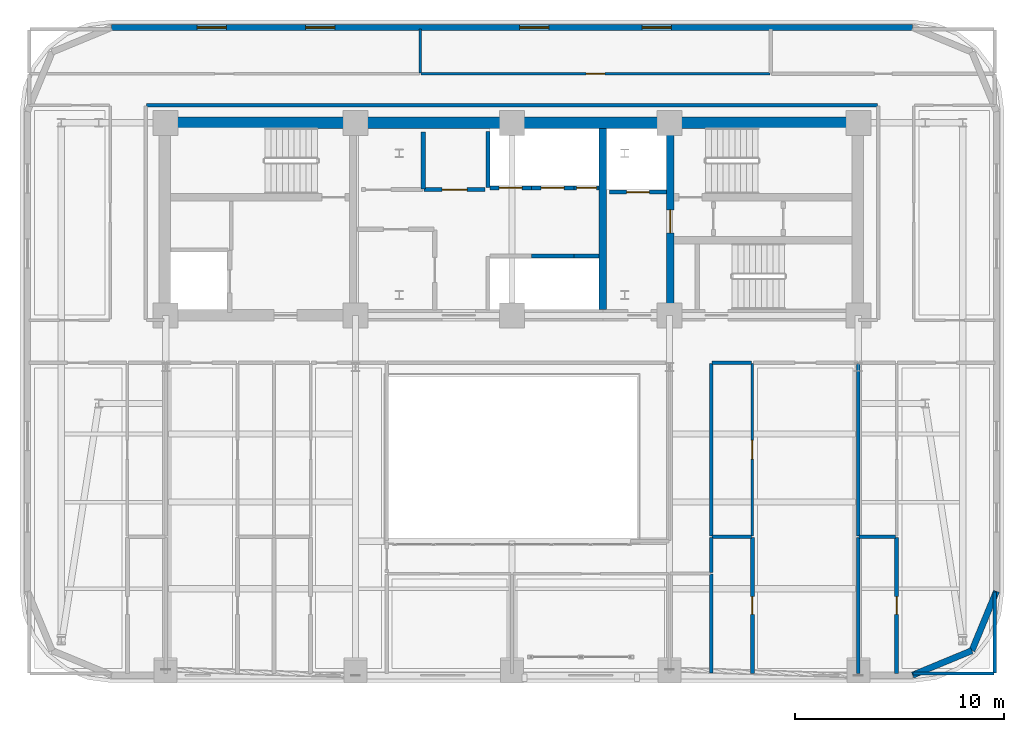
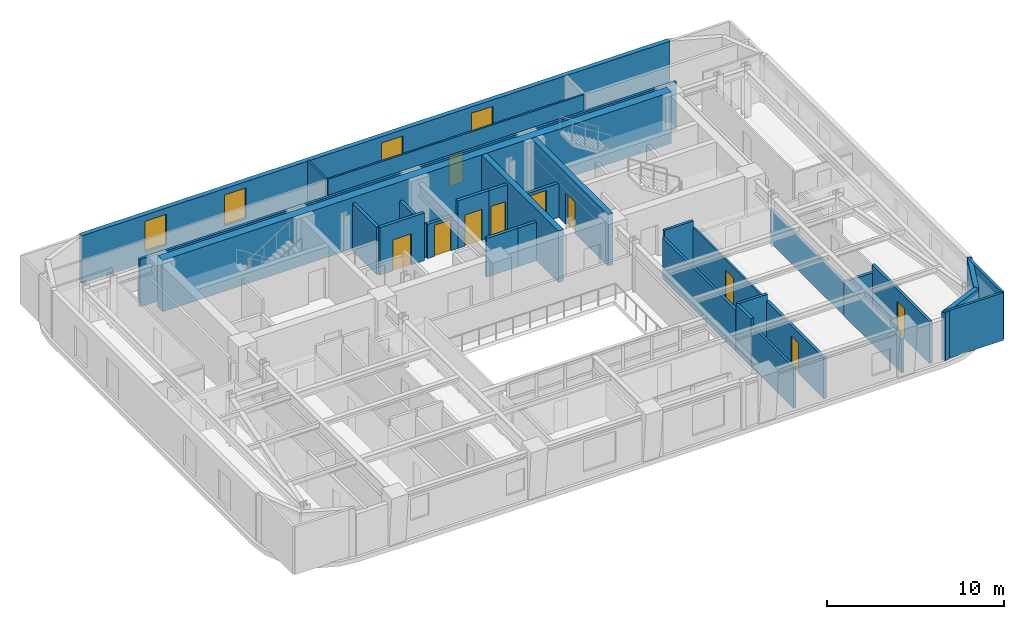
# One storey, part 8 of 13: 31 walls, 10 doors, 4 windows, 14 openings.
"""IFC4 building model written with IfcOpenShell, lengths in metres."""

from ifc_helpers import new_model, si_unit, direction, frame, frame_2d, origin, place, context, subcontext, project, spatial, rectangle, extrude, material, layer, layer_set, type_object, element, fill, save


model = new_model("IFC4")

# Units and contexts
model_context = context("Model", 3, precision=1e-05, world=origin(), true_north=direction((0.0, 1.0)))
body_context = subcontext(model_context, "Body", "Model", "MODEL_VIEW")
ifc_project = project(units=[si_unit("LENGTHUNIT", "METRE"), si_unit("AREAUNIT", "SQUARE_METRE"), si_unit("VOLUMEUNIT", "CUBIC_METRE"), si_unit("PLANEANGLEUNIT", "RADIAN"), si_unit("MASSUNIT", "GRAM", prefix="KILO")], contexts=[model_context])

# Site, building, storey
site_placement = place(None, origin())
site = spatial("IfcSite", under=ifc_project, at=site_placement, CompositionType="ELEMENT")
building_placement = place(site_placement, origin())
building = spatial("IfcBuilding", under=site, at=building_placement, Name="Zarnavel Station Tower", CompositionType="ELEMENT")
storey_placement = place(building_placement, frame((0.0, 0.0, 169.64990234375)))
storey = spatial("IfcBuildingStorey", under=building, at=storey_placement, Name="L46", CompositionType="ELEMENT", Elevation=169.64990234375)

# Wall
ifc_material_1 = material(Name="Concrete C50/60", Category="concrete")
ifc_layer_1 = layer(ifc_material_1, 0.35009765625)
ifc_layer_set_1 = layer_set([ifc_layer_1], Name="CW_350")
wall_type_1 = type_object("IfcWallType", Name="CW_350", PredefinedType="SHEAR", material=ifc_layer_set_1)
wall_1_placement = place(storey_placement, frame((33.14990234375, 28.094970703125, 0.0), z_axis=(0.0, 0.0, 1.0), x_axis=(0.0, 1.0, 0.0)))
element("IfcWall", 1, at=wall_1_placement, inside=storey, type_object=wall_type_1, Name="L46 Rear Core Shear Wall DIV-E", PredefinedType="SHEAR", context=body_context, shape_type="SweptSolid", body=[
    extrude(rectangle(XDim=8.679931640625, YDim=0.35009765625, at=frame_2d((4.33984375, 0.0))), origin(), (0.0, 0.0, 1.0), 3.550048828125),
])

# Wall, opening, door
wall_2_placement = place(storey_placement, frame((36.3798828125, 28.094970703125, 0.0), z_axis=(0.0, 0.0, 1.0), x_axis=(0.0, 1.0, 0.0)))
wall_2 = element("IfcWall", 2, at=wall_2_placement, inside=storey, type_object=wall_type_1, Name="L46 Rear Core Shear Wall DIV-S2", PredefinedType="SHEAR", context=body_context, shape_type="SweptSolid", body=[
    extrude(rectangle(XDim=8.679931640625, YDim=0.35009765625, at=frame_2d((4.33984375, 0.0))), origin(), (0.0, 0.0, 1.0), 3.550048828125),
])
opening_1_placement = place(wall_2_placement, frame((3.68505859375, 0.0, 0.0)))
opening_1 = element("IfcOpeningElement", 3, at=opening_1_placement, cuts=wall_2, Name="Opening FD01", PredefinedType="OPENING", context=body_context, shape_type="SweptSolid", body=[
    extrude(rectangle(XDim=1.10009765625, YDim=2.14990234375, at=frame_2d((0.550048828125, 1.074951171875))), frame((0.0, 0.18505859375, 0.0), z_axis=(0.0, -1.0, 0.0), x_axis=(1.0, 0.0, 0.0)), (0.0, 0.0, 1.0), 0.3701171875),
])
ifc_material_2 = material(Name="Painted Galvanised Steel and Hardwood Leaf", Category="steel")
door_type_1 = type_object("IfcDoorType", Name="ID_STAIR_1100", OperationType="NOTDEFINED", PredefinedType="DOOR", material=ifc_material_2)
door_1_placement = place(opening_1_placement, origin())
door_1 = element("IfcDoor", 4, at=door_1_placement, inside=storey, type_object=door_type_1, Name="L46 East Stair Vestibule Fire Door", OperationType="SINGLE_SWING_LEFT", OverallHeight=2.14990234375, OverallWidth=1.10009765625, PredefinedType="DOOR", context=body_context, shape_type="SweptSolid", body=[
    extrude(rectangle(XDim=1.10009765625, YDim=2.14990234375, at=frame_2d((0.550048828125, 1.074951171875))), frame((0.0, 0.02490234375, 0.0), z_axis=(0.0, -1.0, 0.0), x_axis=(1.0, 0.0, 0.0)), (0.0, 0.0, 1.0), 0.050048828125),
])
fill(opening_1, door_1)

# Walls
ifc_material_3 = material(Name="Concrete C50/60", Category="concrete")
ifc_layer_2 = layer(ifc_material_3, 0.550048828125)
ifc_layer_set_2 = layer_set([ifc_layer_2], Name="CW_550")
wall_type_2 = type_object("IfcWallType", Name="CW_550", PredefinedType="SHEAR", material=ifc_layer_set_2)
wall_3_placement = place(storey_placement, frame((12.14990234375, 37.050048828125, 0.0), z_axis=(0.0, 0.0, 1.0), x_axis=(1.0, 0.0, 0.0)))
element("IfcWall", 5, at=wall_3_placement, inside=storey, type_object=wall_type_2, Name="L46 Rear Core Shear Wall N", PredefinedType="SHEAR", context=body_context, shape_type="SweptSolid", body=[
    extrude(rectangle(XDim=33.22998046875, YDim=0.550048828125, at=frame_2d((16.614990234375, 0.0))), origin(), (0.0, 0.0, 1.0), 3.550048828125),
])
ifc_material_4 = material(Name="Precast concrete C45/55 (Dark Basalt Finish)", Category="masonry")
ifc_layer_3 = layer(ifc_material_4, 0.300048828125)
ifc_layer_set_3 = layer_set([ifc_layer_3], Name="EW_BASALT_300")
wall_type_3 = type_object("IfcWallType", Name="EW_BASALT_300", PredefinedType="SOLIDWALL", material=ifc_layer_set_3)
wall_4_placement = place(storey_placement, frame((50.842529296875, 11.75732421875, 0.0), z_axis=(0.0, 0.0, 1.0), x_axis=(-0.92389884758, -0.382636798336, 0.0)))
element("IfcWall", 6, at=wall_4_placement, inside=storey, type_object=wall_type_3, Name="L46 Exterior Basalt Masonry Frame Wall 01", PredefinedType="SOLIDWALL", context=body_context, shape_type="SweptSolid", body=[
    extrude(rectangle(XDim=3.07666015625, YDim=0.300048828125, at=frame_2d((1.538330078125, 0.0))), origin(), (0.0, 0.0, 1.0), 3.2900390625),
])
wall_5_placement = place(storey_placement, frame((52.02001953125, 14.60009765625, 0.0), z_axis=(0.0, 0.0, 1.0), x_axis=(-0.382676475685, -0.923882414032, 0.0)))
element("IfcWall", 7, at=wall_5_placement, inside=storey, type_object=wall_type_3, Name="L46 Exterior Basalt Masonry Frame Wall 02", PredefinedType="SOLIDWALL", context=body_context, shape_type="SweptSolid", body=[
    extrude(rectangle(XDim=3.076904296875, YDim=0.300048828125, at=frame_2d((1.53857421875, 0.0))), origin(), (0.0, 0.0, 1.0), 3.2900390625),
])

# Wall, openings, windows
wall_6_placement = place(storey_placement, frame((9.60009765625, 41.6201171875, 0.0), z_axis=(0.0, 0.0, 1.0), x_axis=(1.0, 0.0, 0.0)))
wall_6 = element("IfcWall", 8, at=wall_6_placement, inside=storey, type_object=wall_type_3, Name="L46 Exterior Basalt Masonry Frame Wall 06", PredefinedType="SOLIDWALL", context=body_context, shape_type="SweptSolid", body=[
    extrude(rectangle(XDim=38.39990234375, YDim=0.300048828125, at=frame_2d((19.199951171875, 0.0))), origin(), (0.0, 0.0, 1.0), 3.2900390625),
])
opening_2_placement = place(wall_6_placement, frame((4.11328125, 0.0, 0.75)))
opening_2 = element("IfcOpeningElement", 9, at=opening_2_placement, cuts=wall_6, Name="Opening WN04", PredefinedType="OPENING", context=body_context, shape_type="SweptSolid", body=[
    extrude(rectangle(XDim=1.39990234375, YDim=2.10009765625, at=frame_2d((0.699951171875, 1.050048828125))), frame((0.0, 0.159912109375, 0.0), z_axis=(0.0, -1.0, 0.0), x_axis=(1.0, 0.0, 0.0)), (0.0, 0.0, 1.0), 0.320068359375),
])
opening_3_placement = place(wall_6_placement, frame((9.306640625, 0.0, 0.75)))
opening_3 = element("IfcOpeningElement", 10, at=opening_3_placement, cuts=wall_6, Name="Opening WN04", PredefinedType="OPENING", context=body_context, shape_type="SweptSolid", body=[
    extrude(rectangle(XDim=1.39990234375, YDim=2.10009765625, at=frame_2d((0.699951171875, 1.050048828125))), frame((0.0, 0.159912109375, 0.0), z_axis=(0.0, -1.0, 0.0), x_axis=(1.0, 0.0, 0.0)), (0.0, 0.0, 1.0), 0.320068359375),
])
opening_4_placement = place(wall_6_placement, frame((19.566650390625, 0.0, 0.75)))
opening_4 = element("IfcOpeningElement", 11, at=opening_4_placement, cuts=wall_6, Name="Opening WN04", PredefinedType="OPENING", context=body_context, shape_type="SweptSolid", body=[
    extrude(rectangle(XDim=1.39990234375, YDim=2.10009765625, at=frame_2d((0.699951171875, 1.050048828125))), frame((0.0, 0.159912109375, 0.0), z_axis=(0.0, -1.0, 0.0), x_axis=(1.0, 0.0, 0.0)), (0.0, 0.0, 1.0), 0.320068359375),
])
opening_5_placement = place(wall_6_placement, frame((25.433349609375, 0.0, 0.75)))
opening_5 = element("IfcOpeningElement", 12, at=opening_5_placement, cuts=wall_6, Name="Opening WN04", PredefinedType="OPENING", context=body_context, shape_type="SweptSolid", body=[
    extrude(rectangle(XDim=1.39990234375, YDim=2.10009765625, at=frame_2d((0.699951171875, 1.050048828125))), frame((0.0, 0.159912109375, 0.0), z_axis=(0.0, -1.0, 0.0), x_axis=(1.0, 0.0, 0.0)), (0.0, 0.0, 1.0), 0.320068359375),
])
ifc_material_5 = material(Name="Thermally Broken Black Aluminium and Low-E Dark Glass", Category="aluminium")
window_type = type_object("IfcWindowType", Name="WN_1400x2100", PartitioningType="DOUBLE_PANEL_VERTICAL", PredefinedType="WINDOW", material=ifc_material_5)
window_1_placement = place(opening_2_placement, origin())
window_1 = element("IfcWindow", 13, at=window_1_placement, inside=storey, type_object=window_type, Name="L46 Recessed Facade Window 01", OverallHeight=2.10009765625, OverallWidth=1.39990234375, PartitioningType="SINGLE_PANEL", PredefinedType="WINDOW", context=body_context, shape_type="SweptSolid", body=[
    extrude(rectangle(XDim=1.39990234375, YDim=2.10009765625, at=frame_2d((0.699951171875, 1.050048828125))), frame((0.0, 0.030029296875, 0.0), z_axis=(0.0, -1.0, 0.0), x_axis=(1.0, 0.0, 0.0)), (0.0, 0.0, 1.0), 0.06005859375),
])
fill(opening_2, window_1)
window_2_placement = place(opening_3_placement, origin())
window_2 = element("IfcWindow", 14, at=window_2_placement, inside=storey, type_object=window_type, Name="L46 Recessed Facade Window 02", OverallHeight=2.10009765625, OverallWidth=1.39990234375, PartitioningType="SINGLE_PANEL", PredefinedType="WINDOW", context=body_context, shape_type="SweptSolid", body=[
    extrude(rectangle(XDim=1.39990234375, YDim=2.10009765625, at=frame_2d((0.699951171875, 1.050048828125))), frame((0.0, 0.030029296875, 0.0), z_axis=(0.0, -1.0, 0.0), x_axis=(1.0, 0.0, 0.0)), (0.0, 0.0, 1.0), 0.06005859375),
])
fill(opening_3, window_2)
window_3_placement = place(opening_4_placement, origin())
window_3 = element("IfcWindow", 15, at=window_3_placement, inside=storey, type_object=window_type, Name="L46 Recessed Facade Window 03", OverallHeight=2.10009765625, OverallWidth=1.39990234375, PartitioningType="SINGLE_PANEL", PredefinedType="WINDOW", context=body_context, shape_type="SweptSolid", body=[
    extrude(rectangle(XDim=1.39990234375, YDim=2.10009765625, at=frame_2d((0.699951171875, 1.050048828125))), frame((0.0, 0.030029296875, 0.0), z_axis=(0.0, -1.0, 0.0), x_axis=(1.0, 0.0, 0.0)), (0.0, 0.0, 1.0), 0.06005859375),
])
fill(opening_4, window_3)
window_4_placement = place(opening_5_placement, origin())
window_4 = element("IfcWindow", 16, at=window_4_placement, inside=storey, type_object=window_type, Name="L46 Recessed Facade Window 04", OverallHeight=2.10009765625, OverallWidth=1.39990234375, PartitioningType="SINGLE_PANEL", PredefinedType="WINDOW", context=body_context, shape_type="SweptSolid", body=[
    extrude(rectangle(XDim=1.39990234375, YDim=2.10009765625, at=frame_2d((0.699951171875, 1.050048828125))), frame((0.0, 0.030029296875, 0.0), z_axis=(0.0, -1.0, 0.0), x_axis=(1.0, 0.0, 0.0)), (0.0, 0.0, 1.0), 0.06005859375),
])
fill(opening_5, window_4)

# Walls
ifc_material_6 = material(Name="Gypsum Twin-Stud Acoustic Fire Partition", Category="concrete")
ifc_layer_4 = layer(ifc_material_6, 0.159912109375)
ifc_layer_set_4 = layer_set([ifc_layer_4], Name="PT_DEMISE_160")
wall_type_4 = type_object("IfcWallType", Name="PT_DEMISE_160", PredefinedType="PARTITIONING", material=ifc_layer_set_4)
wall_7_placement = place(storey_placement, frame((38.389892578125, 25.550048828125, 0.0), z_axis=(0.0, 0.0, 1.0), x_axis=(1.0, 0.0, 0.0)))
element("IfcWall", 17, at=wall_7_placement, inside=storey, type_object=wall_type_4, Name="L46 Partition COR-S-HE1S", PredefinedType="PARTITIONING", context=body_context, shape_type="SweptSolid", body=[
    extrude(rectangle(XDim=1.89404296875, YDim=0.159912109375, at=frame_2d((0.947021484375, 0.0))), origin(), (0.0, 0.0, 1.0), 3.2900390625),
])
wall_8_placement = place(storey_placement, frame((38.35009765625, 17.251953125, 0.0), z_axis=(0.0, 0.0, 1.0), x_axis=(0.0, 1.0, 0.0)))
element("IfcWall", 18, at=wall_8_placement, inside=storey, type_object=wall_type_4, Name="L46 Partition COR-AE-HE1S", PredefinedType="PARTITIONING", context=body_context, shape_type="SweptSolid", body=[
    extrude(rectangle(XDim=8.258056640625, YDim=0.159912109375, at=frame_2d((4.12890625, 0.0))), origin(), (0.0, 0.0, 1.0), 2.830078125),
])
wall_9_placement = place(storey_placement, frame((45.39990234375, 17.251953125, 0.0), z_axis=(0.0, 0.0, 1.0), x_axis=(0.0, 1.0, 0.0)))
element("IfcWall", 19, at=wall_9_placement, inside=storey, type_object=wall_type_4, Name="L46 Partition HE1R-HE2S", PredefinedType="PARTITIONING", context=body_context, shape_type="SweptSolid", body=[
    extrude(rectangle(XDim=8.258056640625, YDim=0.159912109375, at=frame_2d((4.12890625, 0.0))), origin(), (0.0, 0.0, 1.0), 2.360107421875),
])
wall_10_placement = place(storey_placement, frame((11.280029296875, 37.89990234375, 0.0), z_axis=(0.0, 0.0, 1.0), x_axis=(1.0, 0.0, 0.0)))
element("IfcWall", 20, at=wall_10_placement, inside=storey, type_object=wall_type_4, Name="L46 Enclosure Wall COR-N", PredefinedType="PARTITIONING", context=body_context, shape_type="SweptSolid", body=[
    extrude(rectangle(XDim=35.0400390625, YDim=0.159912109375, at=frame_2d((17.52001953125, 0.0))), origin(), (0.0, 0.0, 1.0), 3.2900390625),
])
wall_11_placement = place(storey_placement, frame((38.35009765625, 10.68994140625, 0.0), z_axis=(0.0, 0.0, 1.0), x_axis=(0.0, 1.0, 0.0)))
element("IfcWall", 21, at=wall_11_placement, inside=storey, type_object=wall_type_4, Name="L46 Enclosure Wall HE1B", PredefinedType="PARTITIONING", context=body_context, shape_type="SweptSolid", body=[
    extrude(rectangle(XDim=4.72998046875, YDim=0.159912109375, at=frame_2d((2.364990234375, 0.0))), origin(), (0.0, 0.0, 1.0), 2.830078125),
])
wall_12_placement = place(storey_placement, frame((48.030029296875, 10.659912109375, 0.0), z_axis=(0.0, 0.0, 1.0), x_axis=(1.0, 0.0, 0.0)))
element("IfcWall", 22, at=wall_12_placement, inside=storey, type_object=wall_type_4, Name="L46 Enclosure Wall HE2R", PredefinedType="PARTITIONING", context=body_context, shape_type="SweptSolid", body=[
    extrude(rectangle(XDim=3.8798828125, YDim=0.159912109375, at=frame_2d((1.93994140625, 0.0))), origin(), (0.0, 0.0, 1.0), 3.2900390625),
])
wall_13_placement = place(storey_placement, frame((51.93994140625, 10.68994140625, 0.0), z_axis=(0.0, 0.0, 1.0), x_axis=(0.0, 1.0, 0.0)))
element("IfcWall", 23, at=wall_13_placement, inside=storey, type_object=wall_type_4, Name="L46 Enclosure Wall HE2R", PredefinedType="PARTITIONING", context=body_context, shape_type="SweptSolid", body=[
    extrude(rectangle(XDim=3.880126953125, YDim=0.159912109375, at=frame_2d((1.93994140625, 0.0))), origin(), (0.0, 0.0, 1.0), 3.2900390625),
])

# Wall, opening, door
ifc_material_7 = material(Name="Gypsum Metal-Stud Interior Partition", Category="concrete")
ifc_layer_5 = layer(ifc_material_7, 0.1201171875)
ifc_layer_set_5 = layer_set([ifc_layer_5], Name="PT_ROOM_120")
wall_type_5 = type_object("IfcWallType", Name="PT_ROOM_120", PredefinedType="PARTITIONING", material=ifc_layer_set_5)
wall_14_placement = place(storey_placement, frame((24.43994140625, 39.39990234375, 0.0), z_axis=(0.0, 0.0, 1.0), x_axis=(1.0, 0.0, 0.0)))
wall_14 = element("IfcWall", 24, at=wall_14_placement, inside=storey, type_object=wall_type_5, Name="L46 Partition COR-N-NSPA", PredefinedType="PARTITIONING", context=body_context, shape_type="SweptSolid", body=[
    extrude(rectangle(XDim=16.719970703125, YDim=0.1201171875, at=frame_2d((8.35986328125, 0.0))), origin(), (0.0, 0.0, 1.0), 3.2900390625),
])
opening_6_placement = place(wall_14_placement, frame((7.909912109375, 0.0, 0.0)))
opening_6 = element("IfcOpeningElement", 25, at=opening_6_placement, cuts=wall_14, Name="Opening ID01", PredefinedType="OPENING", context=body_context, shape_type="SweptSolid", body=[
    extrude(rectangle(XDim=0.89990234375, YDim=2.10009765625, at=frame_2d((0.449951171875, 1.050048828125))), frame((0.0, 0.070068359375, 0.0), z_axis=(0.0, -1.0, 0.0), x_axis=(1.0, 0.0, 0.0)), (0.0, 0.0, 1.0), 0.14013671875),
])
ifc_material_8 = material(Name="Painted Galvanised Steel and Hardwood Leaf", Category="steel")
door_type_2 = type_object("IfcDoorType", Name="ID_ROOM_900", OperationType="NOTDEFINED", PredefinedType="DOOR", material=ifc_material_8)
door_2_placement = place(opening_6_placement, origin())
door_2 = element("IfcDoor", 26, at=door_2_placement, inside=storey, type_object=door_type_2, Name="L46 Door COR-N-NSPA", OperationType="SINGLE_SWING_RIGHT", OverallHeight=2.10009765625, OverallWidth=0.89990234375, PredefinedType="DOOR", context=body_context, shape_type="SweptSolid", body=[
    extrude(rectangle(XDim=0.89990234375, YDim=2.10009765625, at=frame_2d((0.449951171875, 1.050048828125))), frame((0.0, 0.02490234375, 0.0), z_axis=(0.0, -1.0, 0.0), x_axis=(1.0, 0.0, 0.0)), (0.0, 0.0, 1.0), 0.050048828125),
])
fill(opening_6, door_2)

# Wall
wall_15_placement = place(storey_placement, frame((24.39990234375, 39.43994140625, 0.0), z_axis=(0.0, 0.0, 1.0), x_axis=(0.0, 1.0, 0.0)))
element("IfcWall", 27, at=wall_15_placement, inside=storey, type_object=wall_type_5, Name="L46 Partition NLIB-NSPA", PredefinedType="PARTITIONING", context=body_context, shape_type="SweptSolid", body=[
    extrude(rectangle(XDim=2.10009765625, YDim=0.1201171875, at=frame_2d((1.050048828125, 0.0))), origin(), (0.0, 0.0, 1.0), 3.2900390625),
])

# Wall, opening, door
wall_16_placement = place(storey_placement, frame((40.323974609375, 17.251953125, 0.0), z_axis=(0.0, 0.0, 1.0), x_axis=(0.0, 1.0, 0.0)))
wall_16 = element("IfcWall", 28, at=wall_16_placement, inside=storey, type_object=wall_type_5, Name="L46 Partition HE1R-HE1S", PredefinedType="PARTITIONING", context=body_context, shape_type="SweptSolid", body=[
    extrude(rectangle(XDim=8.258056640625, YDim=0.1201171875, at=frame_2d((4.12890625, 0.0))), origin(), (0.0, 0.0, 1.0), 2.830078125),
])
opening_7_placement = place(wall_16_placement, frame((3.678955078125, 0.0, 0.0)))
opening_7 = element("IfcOpeningElement", 29, at=opening_7_placement, cuts=wall_16, Name="Opening ID01", PredefinedType="OPENING", context=body_context, shape_type="SweptSolid", body=[
    extrude(rectangle(XDim=0.89990234375, YDim=2.10009765625, at=frame_2d((0.449951171875, 1.050048828125))), frame((0.0, 0.070068359375, 0.0), z_axis=(0.0, -1.0, 0.0), x_axis=(1.0, 0.0, 0.0)), (0.0, 0.0, 1.0), 0.14013671875),
])
door_3_placement = place(opening_7_placement, origin())
door_3 = element("IfcDoor", 30, at=door_3_placement, inside=storey, type_object=door_type_2, Name="L46 Door HE1R-HE1S", OperationType="SINGLE_SWING_RIGHT", OverallHeight=2.10009765625, OverallWidth=0.89990234375, PredefinedType="DOOR", context=body_context, shape_type="SweptSolid", body=[
    extrude(rectangle(XDim=0.89990234375, YDim=2.10009765625, at=frame_2d((0.449951171875, 1.050048828125))), frame((0.0, 0.02490234375, 0.0), z_axis=(0.0, -1.0, 0.0), x_axis=(1.0, 0.0, 0.0)), (0.0, 0.0, 1.0), 0.050048828125),
])
fill(opening_7, door_3)

ifc_material_9 = material(Name="Precast concrete C45/55 (Fire Shaft Blockwork)", Category="masonry")
ifc_layer_6 = layer(ifc_material_9, 0.199951171875)
ifc_layer_set_6 = layer_set([ifc_layer_6], Name="PT_SHAFT_200")
wall_type_6 = type_object("IfcWallType", Name="PT_SHAFT_200", PredefinedType="PARTITIONING", material=ifc_layer_set_6)
wall_17_placement = place(storey_placement, frame((33.47509765625, 33.72998046875, 0.0), z_axis=(0.0, 0.0, 1.0), x_axis=(1.0, 0.0, 0.0)))
wall_17 = element("IfcWall", 31, at=wall_17_placement, inside=storey, type_object=wall_type_6, Name="L46 Lift FFL-02 Shaft Front Wall", PredefinedType="PARTITIONING", context=body_context, shape_type="SweptSolid", body=[
    extrude(rectangle(XDim=2.724853515625, YDim=0.199951171875, at=frame_2d((1.3623046875, 0.0))), origin(), (0.0, 0.0, 1.0), 2.360107421875),
])
opening_8_placement = place(wall_17_placement, frame((0.8125, 0.0, 0.0)))
opening_8 = element("IfcOpeningElement", 32, at=opening_8_placement, cuts=wall_17, Name="Opening LD01", PredefinedType="OPENING", context=body_context, shape_type="SweptSolid", body=[
    extrude(rectangle(XDim=1.10009765625, YDim=2.14990234375, at=frame_2d((0.550048828125, 1.074951171875))), frame((0.0, 0.10986328125, 0.0), z_axis=(0.0, -1.0, 0.0), x_axis=(1.0, 0.0, 0.0)), (0.0, 0.0, 1.0), 0.219970703125),
])
ifc_material_10 = material(Name="Painted Galvanised Steel and Hardwood Leaf", Category="steel")
door_type_3 = type_object("IfcDoorType", Name="LD_FF_1100", OperationType="DOUBLE_DOOR_SLIDING", PredefinedType="DOOR", material=ifc_material_10)
door_4_placement = place(opening_8_placement, origin())
door_4 = element("IfcDoor", 33, at=door_4_placement, inside=storey, type_object=door_type_3, Name="L46 Lift FFL-02 Sliding Landing Door", OperationType="DOUBLE_DOOR_SLIDING", OverallHeight=2.14990234375, OverallWidth=1.10009765625, PredefinedType="DOOR", context=body_context, shape_type="SweptSolid", body=[
    extrude(rectangle(XDim=1.10009765625, YDim=2.14990234375, at=frame_2d((0.550048828125, 1.074951171875))), frame((0.0, 0.02490234375, 0.0), z_axis=(0.0, -1.0, 0.0), x_axis=(1.0, 0.0, 0.0)), (0.0, 0.0, 1.0), 0.050048828125),
])
fill(opening_8, door_4)

# Walls
wall_18_placement = place(storey_placement, frame((29.72509765625, 30.669921875, 0.0), z_axis=(0.0, 0.0, 1.0), x_axis=(1.0, 0.0, 0.0)))
element("IfcWall", 34, at=wall_18_placement, inside=storey, type_object=wall_type_6, Name="L46 Lift PL-H2 Shaft Front Wall", PredefinedType="PARTITIONING", context=body_context, shape_type="SweptSolid", body=[
    extrude(rectangle(XDim=2.0498046875, YDim=0.199951171875, at=frame_2d((1.02490234375, 0.0))), origin(), (0.0, 0.0, 1.0), 2.670166015625),
])
wall_19_placement = place(storey_placement, frame((31.77490234375, 30.669921875, 0.0), z_axis=(0.0, 0.0, 1.0), x_axis=(1.0, 0.0, 0.0)))
element("IfcWall", 35, at=wall_19_placement, inside=storey, type_object=wall_type_6, Name="L46 Lift PL-H3 Shaft Front Wall", PredefinedType="PARTITIONING", context=body_context, shape_type="SweptSolid", body=[
    extrude(rectangle(XDim=1.2001953125, YDim=0.199951171875, at=frame_2d((0.60009765625, 0.0))), origin(), (0.0, 0.0, 1.0), 2.670166015625),
])

# Wall, opening, door
wall_20_placement = place(storey_placement, frame((27.75, 33.929931640625, 0.0), z_axis=(0.0, 0.0, 1.0), x_axis=(1.0, 0.0, 0.0)))
wall_20 = element("IfcWall", 36, at=wall_20_placement, inside=storey, type_object=wall_type_6, Name="L46 Lift PL-M1 Shaft Front Wall", PredefinedType="PARTITIONING", context=body_context, shape_type="SweptSolid", body=[
    extrude(rectangle(XDim=1.97509765625, YDim=0.199951171875, at=frame_2d((0.987548828125, 0.0))), origin(), (0.0, 0.0, 1.0), 2.360107421875),
])
opening_9_placement = place(wall_20_placement, frame((0.4375, 0.0, 0.0)))
opening_9 = element("IfcOpeningElement", 37, at=opening_9_placement, cuts=wall_20, Name="Opening LD02", PredefinedType="OPENING", context=body_context, shape_type="SweptSolid", body=[
    extrude(rectangle(XDim=1.10009765625, YDim=2.14990234375, at=frame_2d((0.550048828125, 1.074951171875))), frame((0.0, 0.10986328125, 0.0), z_axis=(0.0, -1.0, 0.0), x_axis=(1.0, 0.0, 0.0)), (0.0, 0.0, 1.0), 0.219970703125),
])
ifc_material_11 = material(Name="Painted Galvanised Steel and Hardwood Leaf", Category="steel")
door_type_4 = type_object("IfcDoorType", Name="LD_PAX_1100", OperationType="DOUBLE_DOOR_SLIDING", PredefinedType="DOOR", material=ifc_material_11)
door_5_placement = place(opening_9_placement, origin())
door_5 = element("IfcDoor", 38, at=door_5_placement, inside=storey, type_object=door_type_4, Name="L46 Lift PL-M1 Sliding Landing Door", OperationType="DOUBLE_DOOR_SLIDING", OverallHeight=2.14990234375, OverallWidth=1.10009765625, PredefinedType="DOOR", context=body_context, shape_type="SweptSolid", body=[
    extrude(rectangle(XDim=1.10009765625, YDim=2.14990234375, at=frame_2d((0.550048828125, 1.074951171875))), frame((0.0, 0.02490234375, 0.0), z_axis=(0.0, -1.0, 0.0), x_axis=(1.0, 0.0, 0.0)), (0.0, 0.0, 1.0), 0.050048828125),
])
fill(opening_9, door_5)

# Wall
wall_21_placement = place(storey_placement, frame((27.64990234375, 33.949951171875, 0.0), z_axis=(0.0, 0.0, 1.0), x_axis=(0.0, 1.0, 0.0)))
element("IfcWall", 39, at=wall_21_placement, inside=storey, type_object=wall_type_6, Name="L46 Mid-Rise Lift Bank West Shaft Wall", PredefinedType="PARTITIONING", context=body_context, shape_type="SweptSolid", body=[
    extrude(rectangle(XDim=2.679931640625, YDim=0.199951171875, at=frame_2d((1.33984375, 0.0))), origin(), (0.0, 0.0, 1.0), 2.360107421875),
])

# Wall, opening, door
wall_22_placement = place(storey_placement, frame((29.72509765625, 33.929931640625, 0.0), z_axis=(0.0, 0.0, 1.0), x_axis=(1.0, 0.0, 0.0)))
wall_22 = element("IfcWall", 40, at=wall_22_placement, inside=storey, type_object=wall_type_6, Name="L46 Lift PL-M2 Shaft Front Wall", PredefinedType="PARTITIONING", context=body_context, shape_type="SweptSolid", body=[
    extrude(rectangle(XDim=2.0498046875, YDim=0.199951171875, at=frame_2d((1.02490234375, 0.0))), origin(), (0.0, 0.0, 1.0), 3.2900390625),
])
opening_10_placement = place(wall_22_placement, frame((0.47509765625, 0.0, 0.0)))
opening_10 = element("IfcOpeningElement", 41, at=opening_10_placement, cuts=wall_22, Name="Opening LD02", PredefinedType="OPENING", context=body_context, shape_type="SweptSolid", body=[
    extrude(rectangle(XDim=1.10009765625, YDim=2.14990234375, at=frame_2d((0.550048828125, 1.074951171875))), frame((0.0, 0.10986328125, 0.0), z_axis=(0.0, -1.0, 0.0), x_axis=(1.0, 0.0, 0.0)), (0.0, 0.0, 1.0), 0.219970703125),
])
door_6_placement = place(opening_10_placement, origin())
door_6 = element("IfcDoor", 42, at=door_6_placement, inside=storey, type_object=door_type_4, Name="L46 Lift PL-M2 Sliding Landing Door", OperationType="DOUBLE_DOOR_SLIDING", OverallHeight=2.14990234375, OverallWidth=1.10009765625, PredefinedType="DOOR", context=body_context, shape_type="SweptSolid", body=[
    extrude(rectangle(XDim=1.10009765625, YDim=2.14990234375, at=frame_2d((0.550048828125, 1.074951171875))), frame((0.0, 0.02490234375, 0.0), z_axis=(0.0, -1.0, 0.0), x_axis=(1.0, 0.0, 0.0)), (0.0, 0.0, 1.0), 0.050048828125),
])
fill(opening_10, door_6)

wall_23_placement = place(storey_placement, frame((31.77490234375, 33.929931640625, 0.0), z_axis=(0.0, 0.0, 1.0), x_axis=(1.0, 0.0, 0.0)))
wall_23 = element("IfcWall", 43, at=wall_23_placement, inside=storey, type_object=wall_type_6, Name="L46 Lift PL-M3 Shaft Front Wall", PredefinedType="PARTITIONING", context=body_context, shape_type="SweptSolid", body=[
    extrude(rectangle(XDim=1.2001953125, YDim=0.199951171875, at=frame_2d((0.60009765625, 0.0))), origin(), (0.0, 0.0, 1.0), 3.2900390625),
])
opening_11_placement = place(wall_23_placement, frame((0.125, 0.0, 0.0)))
opening_11 = element("IfcOpeningElement", 44, at=opening_11_placement, cuts=wall_23, Name="Opening LD03", PredefinedType="OPENING", context=body_context, shape_type="SweptSolid", body=[
    extrude(rectangle(XDim=0.949951171875, YDim=2.14990234375, at=frame_2d((0.47509765625, 1.074951171875))), frame((0.0, 0.10986328125, 0.0), z_axis=(0.0, -1.0, 0.0), x_axis=(1.0, 0.0, 0.0)), (0.0, 0.0, 1.0), 0.219970703125),
])
ifc_material_12 = material(Name="Painted Galvanised Steel and Hardwood Leaf", Category="steel")
door_type_5 = type_object("IfcDoorType", Name="LD_PAX_0950", OperationType="DOUBLE_DOOR_SLIDING", PredefinedType="DOOR", material=ifc_material_12)
door_7_placement = place(opening_11_placement, origin())
door_7 = element("IfcDoor", 45, at=door_7_placement, inside=storey, type_object=door_type_5, Name="L46 Lift PL-M3 Sliding Landing Door", OperationType="DOUBLE_DOOR_SLIDING", OverallHeight=2.14990234375, OverallWidth=0.949951171875, PredefinedType="DOOR", context=body_context, shape_type="SweptSolid", body=[
    extrude(rectangle(XDim=0.949951171875, YDim=2.14990234375, at=frame_2d((0.47509765625, 1.074951171875))), frame((0.0, 0.02490234375, 0.0), z_axis=(0.0, -1.0, 0.0), x_axis=(1.0, 0.0, 0.0)), (0.0, 0.0, 1.0), 0.050048828125),
])
fill(opening_11, door_7)

wall_24_placement = place(storey_placement, frame((24.590087890625, 33.85009765625, 0.0), z_axis=(0.0, 0.0, 1.0), x_axis=(1.0, 0.0, 0.0)))
wall_24 = element("IfcWall", 46, at=wall_24_placement, inside=storey, type_object=wall_type_6, Name="L46 Partition LLOB-FB1B", PredefinedType="PARTITIONING", context=body_context, shape_type="SweptSolid", body=[
    extrude(rectangle(XDim=2.919921875, YDim=0.199951171875, at=frame_2d((1.4599609375, 0.0))), origin(), (0.0, 0.0, 1.0), 3.2900390625),
])
opening_12_placement = place(wall_24_placement, frame((0.860107421875, 0.0, 0.0)))
opening_12 = element("IfcOpeningElement", 47, at=opening_12_placement, cuts=wall_24, Name="Opening FD03", PredefinedType="OPENING", context=body_context, shape_type="SweptSolid", body=[
    extrude(rectangle(XDim=1.199951171875, YDim=2.14990234375, at=frame_2d((0.60009765625, 1.074951171875))), frame((0.0, 0.10986328125, 0.0), z_axis=(0.0, -1.0, 0.0), x_axis=(1.0, 0.0, 0.0)), (0.0, 0.0, 1.0), 0.219970703125),
])
ifc_material_13 = material(Name="Painted Galvanised Steel and Hardwood Leaf", Category="steel")
door_type_6 = type_object("IfcDoorType", Name="ID_PLANT_1200", OperationType="NOTDEFINED", PredefinedType="DOOR", material=ifc_material_13)
door_8_placement = place(opening_12_placement, origin())
door_8 = element("IfcDoor", 48, at=door_8_placement, inside=storey, type_object=door_type_6, Name="L46 Door LLOB-FB1B", OperationType="SINGLE_SWING_RIGHT", OverallHeight=2.14990234375, OverallWidth=1.199951171875, PredefinedType="DOOR", context=body_context, shape_type="SweptSolid", body=[
    extrude(rectangle(XDim=1.199951171875, YDim=2.14990234375, at=frame_2d((0.60009765625, 1.074951171875))), frame((0.0, 0.02490234375, 0.0), z_axis=(0.0, -1.0, 0.0), x_axis=(1.0, 0.0, 0.0)), (0.0, 0.0, 1.0), 0.050048828125),
])
fill(opening_12, door_8)

# Walls
wall_25_placement = place(storey_placement, frame((24.550048828125, 33.889892578125, 0.0), z_axis=(0.0, 0.0, 1.0), x_axis=(0.0, 1.0, 0.0)))
element("IfcWall", 49, at=wall_25_placement, inside=storey, type_object=wall_type_6, Name="L46 Partition FB1A-FB1B", PredefinedType="PARTITIONING", context=body_context, shape_type="SweptSolid", body=[
    extrude(rectangle(XDim=2.72021484375, YDim=0.199951171875, at=frame_2d((1.360107421875, 0.0))), origin(), (0.0, 0.0, 1.0), 3.2900390625),
])
ifc_material_14 = material(Name="Moisture-Resistant Plumbing Chase Wall", Category="concrete")
ifc_layer_7 = layer(ifc_material_14, 0.179931640625)
ifc_layer_set_7 = layer_set([ifc_layer_7], Name="PW_PLUMB_180")
wall_type_7 = type_object("IfcWallType", Name="PW_PLUMB_180", PredefinedType="PLUMBINGWALL", material=ifc_layer_set_7)
wall_26_placement = place(storey_placement, frame((38.35009765625, 15.489990234375, 0.0), z_axis=(0.0, 0.0, 1.0), x_axis=(0.0, 1.0, 0.0)))
element("IfcWall", 50, at=wall_26_placement, inside=storey, type_object=wall_type_7, Name="L46 Partition COR-AE-HE1B", PredefinedType="PLUMBINGWALL", context=body_context, shape_type="SweptSolid", body=[
    extrude(rectangle(XDim=1.68212890625, YDim=0.179931640625, at=frame_2d((0.841064453125, 0.0))), origin(), (0.0, 0.0, 1.0), 3.2900390625),
])

# Wall, opening, door
wall_27_placement = place(storey_placement, frame((40.323974609375, 10.659912109375, 0.0), z_axis=(0.0, 0.0, 1.0), x_axis=(0.0, 1.0, 0.0)))
wall_27 = element("IfcWall", 51, at=wall_27_placement, inside=storey, type_object=wall_type_7, Name="L46 Partition HE1R-HE1B", PredefinedType="PLUMBINGWALL", context=body_context, shape_type="SweptSolid", body=[
    extrude(rectangle(XDim=6.51220703125, YDim=0.179931640625, at=frame_2d((3.256103515625, 0.0))), origin(), (0.0, 0.0, 1.0), 2.830078125),
])
opening_13_placement = place(wall_27_placement, frame((2.8310546875, 0.0, 0.0)))
opening_13 = element("IfcOpeningElement", 52, at=opening_13_placement, cuts=wall_27, Name="Opening ID02", PredefinedType="OPENING", context=body_context, shape_type="SweptSolid", body=[
    extrude(rectangle(XDim=0.85009765625, YDim=2.10009765625, at=frame_2d((0.425048828125, 1.050048828125))), frame((0.0, 0.099853515625, 0.0), z_axis=(0.0, -1.0, 0.0), x_axis=(1.0, 0.0, 0.0)), (0.0, 0.0, 1.0), 0.199951171875),
])
ifc_material_15 = material(Name="Painted Galvanised Steel and Hardwood Leaf", Category="steel")
door_type_7 = type_object("IfcDoorType", Name="ID_BATH_850", OperationType="NOTDEFINED", PredefinedType="DOOR", material=ifc_material_15)
door_9_placement = place(opening_13_placement, origin())
door_9 = element("IfcDoor", 53, at=door_9_placement, inside=storey, type_object=door_type_7, Name="L46 Door HE1R-HE1B", OperationType="SINGLE_SWING_LEFT", OverallHeight=2.10009765625, OverallWidth=0.85009765625, PredefinedType="DOOR", context=body_context, shape_type="SweptSolid", body=[
    extrude(rectangle(XDim=0.85009765625, YDim=2.10009765625, at=frame_2d((0.425048828125, 1.050048828125))), frame((0.0, 0.02490234375, 0.0), z_axis=(0.0, -1.0, 0.0), x_axis=(1.0, 0.0, 0.0)), (0.0, 0.0, 1.0), 0.050048828125),
])
fill(opening_13, door_9)

# Walls
wall_28_placement = place(storey_placement, frame((45.39990234375, 10.659912109375, 0.0), z_axis=(0.0, 0.0, 1.0), x_axis=(0.0, 1.0, 0.0)))
element("IfcWall", 54, at=wall_28_placement, inside=storey, type_object=wall_type_7, Name="L46 Partition HE1R-HE2B", PredefinedType="PLUMBINGWALL", context=body_context, shape_type="SweptSolid", body=[
    extrude(rectangle(XDim=6.51220703125, YDim=0.179931640625, at=frame_2d((3.256103515625, 0.0))), origin(), (0.0, 0.0, 1.0), 2.360107421875),
])
wall_29_placement = place(storey_placement, frame((38.389892578125, 17.2119140625, 0.0), z_axis=(0.0, 0.0, 1.0), x_axis=(1.0, 0.0, 0.0)))
element("IfcWall", 55, at=wall_29_placement, inside=storey, type_object=wall_type_7, Name="L46 Partition HE1B-HE1S", PredefinedType="PLUMBINGWALL", context=body_context, shape_type="SweptSolid", body=[
    extrude(rectangle(XDim=1.89404296875, YDim=0.179931640625, at=frame_2d((0.947021484375, 0.0))), origin(), (0.0, 0.0, 1.0), 3.2900390625),
])

# Wall, opening, door
wall_30_placement = place(storey_placement, frame((47.23095703125, 10.659912109375, 0.0), z_axis=(0.0, 0.0, 1.0), x_axis=(0.0, 1.0, 0.0)))
wall_30 = element("IfcWall", 56, at=wall_30_placement, inside=storey, type_object=wall_type_7, Name="L46 Partition HE2R-HE2B", PredefinedType="PLUMBINGWALL", context=body_context, shape_type="SweptSolid", body=[
    extrude(rectangle(XDim=6.51220703125, YDim=0.179931640625, at=frame_2d((3.256103515625, 0.0))), origin(), (0.0, 0.0, 1.0), 2.91015625),
])
opening_14_placement = place(wall_30_placement, frame((2.8310546875, 0.0, 0.0)))
opening_14 = element("IfcOpeningElement", 57, at=opening_14_placement, cuts=wall_30, Name="Opening ID02", PredefinedType="OPENING", context=body_context, shape_type="SweptSolid", body=[
    extrude(rectangle(XDim=0.85009765625, YDim=2.10009765625, at=frame_2d((0.425048828125, 1.050048828125))), frame((0.0, 0.099853515625, 0.0), z_axis=(0.0, -1.0, 0.0), x_axis=(1.0, 0.0, 0.0)), (0.0, 0.0, 1.0), 0.199951171875),
])
door_10_placement = place(opening_14_placement, origin())
door_10 = element("IfcDoor", 58, at=door_10_placement, inside=storey, type_object=door_type_7, Name="L46 Door HE2R-HE2B", OperationType="SINGLE_SWING_LEFT", OverallHeight=2.10009765625, OverallWidth=0.85009765625, PredefinedType="DOOR", context=body_context, shape_type="SweptSolid", body=[
    extrude(rectangle(XDim=0.85009765625, YDim=2.10009765625, at=frame_2d((0.425048828125, 1.050048828125))), frame((0.0, 0.02490234375, 0.0), z_axis=(0.0, -1.0, 0.0), x_axis=(1.0, 0.0, 0.0)), (0.0, 0.0, 1.0), 0.050048828125),
])
fill(opening_14, door_10)

# Wall
wall_31_placement = place(storey_placement, frame((45.43994140625, 17.2119140625, 0.0), z_axis=(0.0, 0.0, 1.0), x_axis=(1.0, 0.0, 0.0)))
element("IfcWall", 59, at=wall_31_placement, inside=storey, type_object=wall_type_7, Name="L46 Partition HE2B-HE2S", PredefinedType="PLUMBINGWALL", context=body_context, shape_type="SweptSolid", body=[
    extrude(rectangle(XDim=1.7509765625, YDim=0.179931640625, at=frame_2d((0.87548828125, 0.0))), origin(), (0.0, 0.0, 1.0), 2.360107421875),
])

save(model, "model.ifc")
